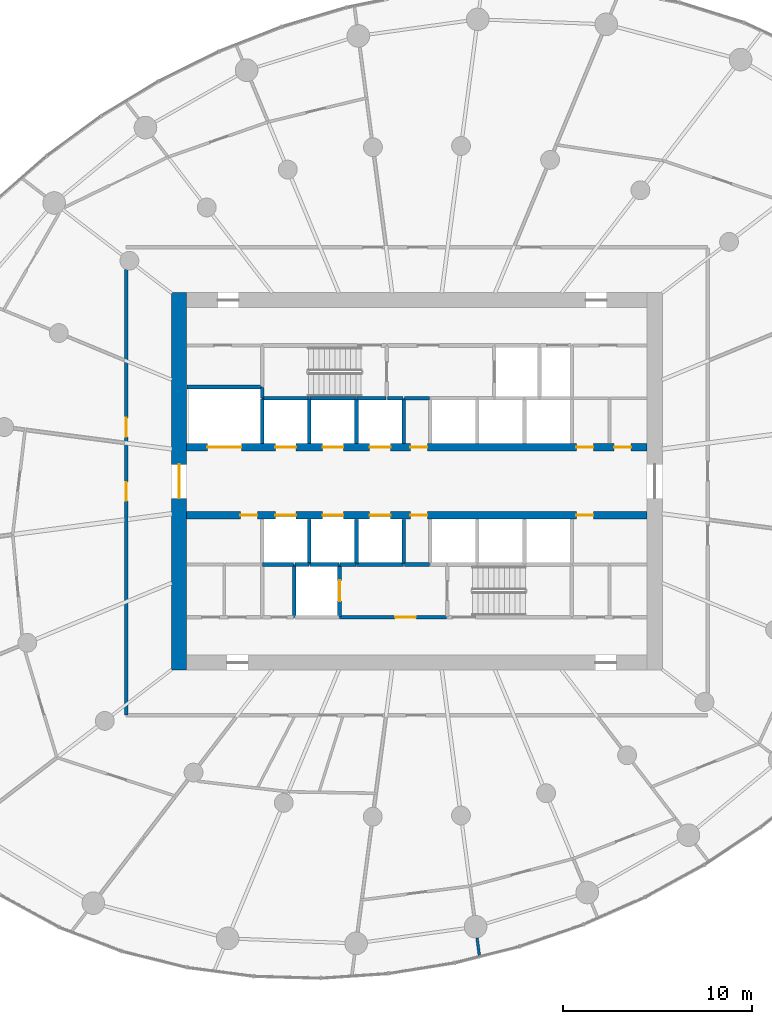
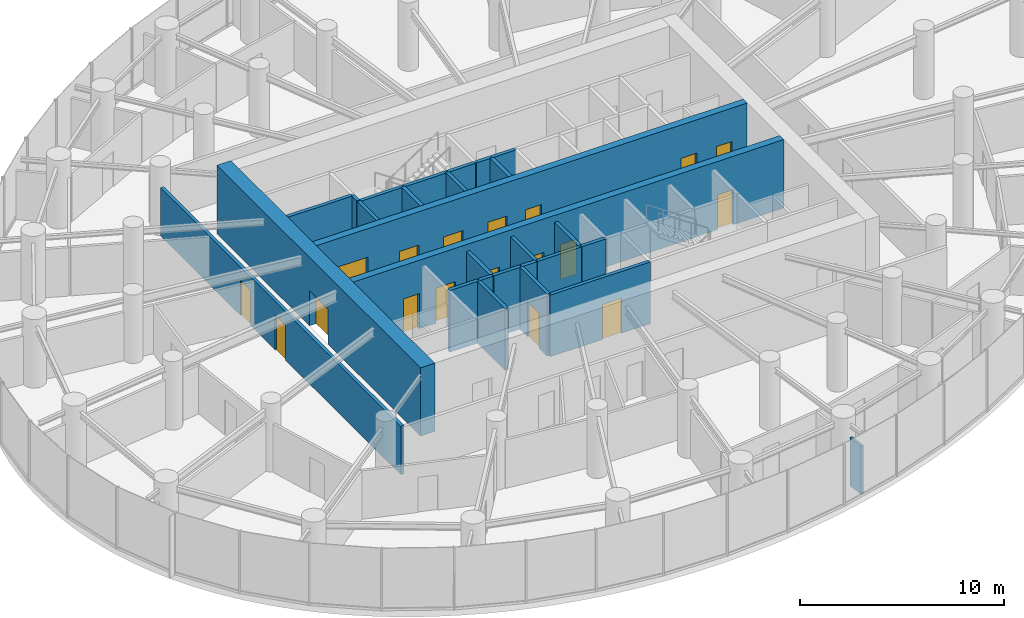
# One storey, part 11 of 17: 28 walls, 18 doors, 18 openings.
"""IFC4 building model written with IfcOpenShell, lengths in metres."""

from ifc_helpers import new_model, si_unit, direction, frame, frame_2d, origin, place, context, subcontext, project, spatial, rectangle, extrude, source, transform, mapped, material, layer, layer_set, type_object, element, fill, save


model = new_model("IFC4")

# Units and contexts
model_context = context("Model", 3, precision=1e-05, world=origin(), true_north=direction((0.0, 1.0)))
body_context = subcontext(model_context, "Body", "Model", "MODEL_VIEW")
ifc_project = project(units=[si_unit("LENGTHUNIT", "METRE"), si_unit("AREAUNIT", "SQUARE_METRE"), si_unit("VOLUMEUNIT", "CUBIC_METRE"), si_unit("PLANEANGLEUNIT", "RADIAN"), si_unit("MASSUNIT", "GRAM", prefix="KILO")], contexts=[model_context])

# Site, building, storey
site_placement = place(None, origin())
site = spatial("IfcSite", under=ifc_project, at=site_placement, CompositionType="ELEMENT")
building_placement = place(site_placement, origin())
building = spatial("IfcBuilding", under=site, at=building_placement, Name="Spindrift Exchange Tower", CompositionType="ELEMENT")
storey_placement = place(building_placement, frame((0.0, 0.0, 88.0)))
storey = spatial("IfcBuildingStorey", under=building, at=storey_placement, Name="L20", CompositionType="ELEMENT", Elevation=88.0)

# Wall, opening, door
ifc_material_1 = material(Name="Concrete 65 MPa", Category="concrete")
ifc_layer_1 = layer(ifc_material_1, 0.800048828125)
ifc_layer_set_1 = layer_set([ifc_layer_1], Name="RC Core Wall 800 Concrete 65 MPa")
wall_type_1 = type_object("IfcWallType", Name="RC Core Wall 800 Concrete 65 MPa", PredefinedType="SHEAR", material=ifc_layer_set_1)
wall_1_placement = place(storey_placement, frame((39.39990234375, 58.0, 0.0), z_axis=(0.0, 0.0, 1.0), x_axis=(0.0, -1.0, 0.0)))
wall_1 = element("IfcWall", 1, at=wall_1_placement, inside=storey, type_object=wall_type_1, Name="Core wall W L20", PredefinedType="SHEAR", context=body_context, shape_type="SweptSolid", body=[
    extrude(rectangle(XDim=20.0, YDim=0.800048828125, at=frame_2d((10.0, 0.0))), origin(), (0.0, 0.0, 1.0), 4.10009765625),
])
opening_1_placement = place(wall_1_placement, frame((9.10009765625, 0.0, 0.0)))
opening_1 = element("IfcOpeningElement", 2, at=opening_1_placement, cuts=wall_1, Name="Opening L20-D1", PredefinedType="OPENING", context=body_context, shape_type="SweptSolid", body=[
    extrude(rectangle(XDim=1.800048828125, YDim=2.10009765625, at=frame_2d((0.89990234375, 1.050048828125))), frame((0.0, 0.409912109375, 0.0), z_axis=(0.0, -1.0, 0.0), x_axis=(1.0, 0.0, 0.0)), (0.0, 0.0, 1.0), 0.820068359375),
])
ifc_material_2 = material(Name="Timber-core fire door", Category="wood")
door_type_1 = type_object("IfcDoorType", Name="DR-LOBBY-1800", OperationType="NOTDEFINED", PredefinedType="DOOR", material=ifc_material_2)
shared_shape_1 = source(origin(), body_context, "Body", "SweptSolid", [
    extrude(rectangle(XDim=1.800048828125, YDim=2.10009765625, at=frame_2d((0.89990234375, 1.050048828125))), frame((0.0, 0.02490234375, 0.0), z_axis=(0.0, -1.0, 0.0), x_axis=(1.0, 0.0, 0.0)), (0.0, 0.0, 1.0), 0.050048828125),
])
door_1_placement = place(opening_1_placement, origin())
door_1 = element("IfcDoor", 3, at=door_1_placement, inside=storey, type_object=door_type_1, Name="L20 Lobby door 1", OperationType="SINGLE_SWING_RIGHT", OverallHeight=2.10009765625, OverallWidth=1.800048828125, PredefinedType="DOOR", context=body_context, shape_type="MappedRepresentation", body=[
    mapped(shared_shape_1, transform((0.0, 0.0, 0.0), scale=1.0)),
])
fill(opening_1, door_1)

# Wall, openings, doors
ifc_layer_2 = layer(ifc_material_1, 0.39990234375)
ifc_layer_set_2 = layer_set([ifc_layer_2], Name="RC Spine Wall 400 Concrete 65 MPa")
wall_type_2 = type_object("IfcWallType", Name="RC Spine Wall 400 Concrete 65 MPa", PredefinedType="SHEAR", material=ifc_layer_set_2)
wall_2_placement = place(storey_placement, frame((39.800048828125, 49.800048828125, 0.0), z_axis=(0.0, 0.0, 1.0), x_axis=(1.0, 0.0, 0.0)))
wall_2 = element("IfcWall", 4, at=wall_2_placement, inside=storey, type_object=wall_type_2, Name="Core spine wall N L20", PredefinedType="SHEAR", context=body_context, shape_type="SweptSolid", body=[
    extrude(rectangle(XDim=24.39990234375, YDim=0.39990234375, at=frame_2d((12.199951171875, 0.0))), origin(), (0.0, 0.0, 1.0), 4.10009765625),
])
opening_2_placement = place(wall_2_placement, frame((4.699951171875, 0.0, 0.0)))
opening_2 = element("IfcOpeningElement", 5, at=opening_2_placement, cuts=wall_2, Name="Opening L20-D3", PredefinedType="OPENING", context=body_context, shape_type="SweptSolid", body=[
    extrude(rectangle(XDim=1.10009765625, YDim=2.10009765625, at=frame_2d((0.550048828125, 1.050048828125))), frame((0.0, 0.2099609375, 0.0), z_axis=(0.0, -1.0, 0.0), x_axis=(1.0, 0.0, 0.0)), (0.0, 0.0, 1.0), 0.419921875),
])
opening_3_placement = place(wall_2_placement, frame((7.199951171875, 0.0, 0.0)))
opening_3 = element("IfcOpeningElement", 6, at=opening_3_placement, cuts=wall_2, Name="Opening L20-D4", PredefinedType="OPENING", context=body_context, shape_type="SweptSolid", body=[
    extrude(rectangle(XDim=1.10009765625, YDim=2.10009765625, at=frame_2d((0.550048828125, 1.050048828125))), frame((0.0, 0.2099609375, 0.0), z_axis=(0.0, -1.0, 0.0), x_axis=(1.0, 0.0, 0.0)), (0.0, 0.0, 1.0), 0.419921875),
])
opening_4_placement = place(wall_2_placement, frame((9.699951171875, 0.0, 0.0)))
opening_4 = element("IfcOpeningElement", 7, at=opening_4_placement, cuts=wall_2, Name="Opening L20-D5", PredefinedType="OPENING", context=body_context, shape_type="SweptSolid", body=[
    extrude(rectangle(XDim=1.10009765625, YDim=2.10009765625, at=frame_2d((0.550048828125, 1.050048828125))), frame((0.0, 0.2099609375, 0.0), z_axis=(0.0, -1.0, 0.0), x_axis=(1.0, 0.0, 0.0)), (0.0, 0.0, 1.0), 0.419921875),
])
opening_5_placement = place(wall_2_placement, frame((1.10009765625, 0.0, 0.0)))
opening_5 = element("IfcOpeningElement", 8, at=opening_5_placement, cuts=wall_2, Name="Opening L20-D12", PredefinedType="OPENING", context=body_context, shape_type="SweptSolid", body=[
    extrude(rectangle(XDim=1.800048828125, YDim=2.39990234375, at=frame_2d((0.89990234375, 1.199951171875))), frame((0.0, 0.2099609375, 0.0), z_axis=(0.0, -1.0, 0.0), x_axis=(1.0, 0.0, 0.0)), (0.0, 0.0, 1.0), 0.419921875),
])
opening_6_placement = place(wall_2_placement, frame((20.64990234375, 0.0, 0.0)))
opening_6 = element("IfcOpeningElement", 9, at=opening_6_placement, cuts=wall_2, Name="Opening L20-D55", PredefinedType="OPENING", context=body_context, shape_type="SweptSolid", body=[
    extrude(rectangle(XDim=0.89990234375, YDim=2.10009765625, at=frame_2d((0.449951171875, 1.050048828125))), frame((0.0, 0.2099609375, 0.0), z_axis=(0.0, -1.0, 0.0), x_axis=(1.0, 0.0, 0.0)), (0.0, 0.0, 1.0), 0.419921875),
])
opening_7_placement = place(wall_2_placement, frame((22.64990234375, 0.0, 0.0)))
opening_7 = element("IfcOpeningElement", 10, at=opening_7_placement, cuts=wall_2, Name="Opening L20-D56", PredefinedType="OPENING", context=body_context, shape_type="SweptSolid", body=[
    extrude(rectangle(XDim=0.89990234375, YDim=2.10009765625, at=frame_2d((0.449951171875, 1.050048828125))), frame((0.0, 0.2099609375, 0.0), z_axis=(0.0, -1.0, 0.0), x_axis=(1.0, 0.0, 0.0)), (0.0, 0.0, 1.0), 0.419921875),
])
opening_8_placement = place(wall_2_placement, frame((11.85009765625, 0.0, 0.0)))
opening_8 = element("IfcOpeningElement", 11, at=opening_8_placement, cuts=wall_2, Name="Opening L20-D61", PredefinedType="OPENING", context=body_context, shape_type="SweptSolid", body=[
    extrude(rectangle(XDim=0.89990234375, YDim=2.10009765625, at=frame_2d((0.449951171875, 1.050048828125))), frame((0.0, 0.2099609375, 0.0), z_axis=(0.0, -1.0, 0.0), x_axis=(1.0, 0.0, 0.0)), (0.0, 0.0, 1.0), 0.419921875),
])
ifc_material_3 = material(Name="Stainless steel landing door", Category="steel")
door_type_2 = type_object("IfcDoorType", Name="DR-LANDING-1100-SL", OperationType="DOUBLE_DOOR_SLIDING", PredefinedType="USERDEFINED", material=ifc_material_3)
shared_shape_2 = source(origin(), body_context, "Body", "SweptSolid", [
    extrude(rectangle(XDim=1.10009765625, YDim=2.10009765625, at=frame_2d((0.550048828125, 1.050048828125))), frame((0.0, 0.02490234375, 0.0), z_axis=(0.0, -1.0, 0.0), x_axis=(1.0, 0.0, 0.0)), (0.0, 0.0, 1.0), 0.050048828125),
])
door_2_placement = place(opening_2_placement, origin())
door_2 = element("IfcDoor", 12, at=door_2_placement, inside=storey, type_object=door_type_2, Name="L20 Lift landing door 3", ObjectType="LANDING DOOR", OperationType="DOUBLE_DOOR_SLIDING", OverallHeight=2.10009765625, OverallWidth=1.10009765625, PredefinedType="USERDEFINED", context=body_context, shape_type="MappedRepresentation", body=[
    mapped(shared_shape_2, transform((0.0, 0.0, 0.0), scale=1.0)),
])
fill(opening_2, door_2)
door_3_placement = place(opening_3_placement, origin())
door_3 = element("IfcDoor", 13, at=door_3_placement, inside=storey, type_object=door_type_2, Name="L20 Lift landing door 4", ObjectType="LANDING DOOR", OperationType="DOUBLE_DOOR_SLIDING", OverallHeight=2.10009765625, OverallWidth=1.10009765625, PredefinedType="USERDEFINED", context=body_context, shape_type="MappedRepresentation", body=[
    mapped(shared_shape_2, transform((0.0, 0.0, 0.0), scale=1.0)),
])
fill(opening_3, door_3)
door_4_placement = place(opening_4_placement, origin())
door_4 = element("IfcDoor", 14, at=door_4_placement, inside=storey, type_object=door_type_2, Name="L20 Lift landing door 5", ObjectType="LANDING DOOR", OperationType="DOUBLE_DOOR_SLIDING", OverallHeight=2.10009765625, OverallWidth=1.10009765625, PredefinedType="USERDEFINED", context=body_context, shape_type="MappedRepresentation", body=[
    mapped(shared_shape_2, transform((0.0, 0.0, 0.0), scale=1.0)),
])
fill(opening_4, door_4)
door_type_3 = type_object("IfcDoorType", Name="DR-LANDING-1800-SL", OperationType="DOUBLE_DOOR_SLIDING", PredefinedType="USERDEFINED", material=ifc_material_3)
shared_shape_3 = source(origin(), body_context, "Body", "SweptSolid", [
    extrude(rectangle(XDim=1.800048828125, YDim=2.39990234375, at=frame_2d((0.89990234375, 1.199951171875))), frame((0.0, 0.02490234375, 0.0), z_axis=(0.0, -1.0, 0.0), x_axis=(1.0, 0.0, 0.0)), (0.0, 0.0, 1.0), 0.050048828125),
])
door_5_placement = place(opening_5_placement, origin())
door_5 = element("IfcDoor", 15, at=door_5_placement, inside=storey, type_object=door_type_3, Name="L20 Lift landing door 12", ObjectType="LANDING DOOR", OperationType="DOUBLE_DOOR_SLIDING", OverallHeight=2.39990234375, OverallWidth=1.800048828125, PredefinedType="USERDEFINED", context=body_context, shape_type="MappedRepresentation", body=[
    mapped(shared_shape_3, transform((0.0, 0.0, 0.0), scale=1.0)),
])
fill(opening_5, door_5)
ifc_material_4 = material(Name="Steel access door", Category="steel")
door_type_4 = type_object("IfcDoorType", Name="DR-RISER-900", OperationType="NOTDEFINED", PredefinedType="DOOR", material=ifc_material_4)
shared_shape_4 = source(origin(), body_context, "Body", "SweptSolid", [
    extrude(rectangle(XDim=0.89990234375, YDim=2.10009765625, at=frame_2d((0.449951171875, 1.050048828125))), frame((0.0, 0.02490234375, 0.0), z_axis=(0.0, -1.0, 0.0), x_axis=(1.0, 0.0, 0.0)), (0.0, 0.0, 1.0), 0.050048828125),
])
door_6_placement = place(opening_6_placement, origin())
door_6 = element("IfcDoor", 16, at=door_6_placement, inside=storey, type_object=door_type_4, Name="L20 Riser door 55", OperationType="SINGLE_SWING_RIGHT", OverallHeight=2.10009765625, OverallWidth=0.89990234375, PredefinedType="DOOR", context=body_context, shape_type="MappedRepresentation", body=[
    mapped(shared_shape_4, transform((0.0, 0.0, 0.0), scale=1.0)),
])
fill(opening_6, door_6)
door_7_placement = place(opening_7_placement, origin())
door_7 = element("IfcDoor", 17, at=door_7_placement, inside=storey, type_object=door_type_4, Name="L20 Riser door 56", OperationType="SINGLE_SWING_LEFT", OverallHeight=2.10009765625, OverallWidth=0.89990234375, PredefinedType="DOOR", context=body_context, shape_type="MappedRepresentation", body=[
    mapped(shared_shape_4, transform((0.0, 0.0, 0.0), scale=1.0)),
])
fill(opening_7, door_7)
door_8_placement = place(opening_8_placement, origin())
door_8 = element("IfcDoor", 18, at=door_8_placement, inside=storey, type_object=door_type_4, Name="L20 Riser door 61", OperationType="SINGLE_SWING_RIGHT", OverallHeight=2.10009765625, OverallWidth=0.89990234375, PredefinedType="DOOR", context=body_context, shape_type="MappedRepresentation", body=[
    mapped(shared_shape_4, transform((0.0, 0.0, 0.0), scale=1.0)),
])
fill(opening_8, door_8)

wall_3_placement = place(storey_placement, frame((39.800048828125, 46.199951171875, 0.0), z_axis=(0.0, 0.0, 1.0), x_axis=(1.0, 0.0, 0.0)))
wall_3 = element("IfcWall", 19, at=wall_3_placement, inside=storey, type_object=wall_type_2, Name="Core spine wall S L20", PredefinedType="SHEAR", context=body_context, shape_type="SweptSolid", body=[
    extrude(rectangle(XDim=24.39990234375, YDim=0.39990234375, at=frame_2d((12.199951171875, 0.0))), origin(), (0.0, 0.0, 1.0), 4.10009765625),
])
opening_9_placement = place(wall_3_placement, frame((4.699951171875, 0.0, 0.0)))
opening_9 = element("IfcOpeningElement", 20, at=opening_9_placement, cuts=wall_3, Name="Opening L20-D6", PredefinedType="OPENING", context=body_context, shape_type="SweptSolid", body=[
    extrude(rectangle(XDim=1.10009765625, YDim=2.10009765625, at=frame_2d((0.550048828125, 1.050048828125))), frame((0.0, 0.2099609375, 0.0), z_axis=(0.0, -1.0, 0.0), x_axis=(1.0, 0.0, 0.0)), (0.0, 0.0, 1.0), 0.419921875),
])
opening_10_placement = place(wall_3_placement, frame((7.199951171875, 0.0, 0.0)))
opening_10 = element("IfcOpeningElement", 21, at=opening_10_placement, cuts=wall_3, Name="Opening L20-D7", PredefinedType="OPENING", context=body_context, shape_type="SweptSolid", body=[
    extrude(rectangle(XDim=1.10009765625, YDim=2.10009765625, at=frame_2d((0.550048828125, 1.050048828125))), frame((0.0, 0.2099609375, 0.0), z_axis=(0.0, -1.0, 0.0), x_axis=(1.0, 0.0, 0.0)), (0.0, 0.0, 1.0), 0.419921875),
])
opening_11_placement = place(wall_3_placement, frame((9.699951171875, 0.0, 0.0)))
opening_11 = element("IfcOpeningElement", 22, at=opening_11_placement, cuts=wall_3, Name="Opening L20-D8", PredefinedType="OPENING", context=body_context, shape_type="SweptSolid", body=[
    extrude(rectangle(XDim=1.10009765625, YDim=2.10009765625, at=frame_2d((0.550048828125, 1.050048828125))), frame((0.0, 0.2099609375, 0.0), z_axis=(0.0, -1.0, 0.0), x_axis=(1.0, 0.0, 0.0)), (0.0, 0.0, 1.0), 0.419921875),
])
opening_12_placement = place(wall_3_placement, frame((20.64990234375, 0.0, 0.0)))
opening_12 = element("IfcOpeningElement", 23, at=opening_12_placement, cuts=wall_3, Name="Opening L20-D54", PredefinedType="OPENING", context=body_context, shape_type="SweptSolid", body=[
    extrude(rectangle(XDim=0.89990234375, YDim=2.10009765625, at=frame_2d((0.449951171875, 1.050048828125))), frame((0.0, 0.2099609375, 0.0), z_axis=(0.0, -1.0, 0.0), x_axis=(1.0, 0.0, 0.0)), (0.0, 0.0, 1.0), 0.419921875),
])
opening_13_placement = place(wall_3_placement, frame((2.85009765625, 0.0, 0.0)))
opening_13 = element("IfcOpeningElement", 24, at=opening_13_placement, cuts=wall_3, Name="Opening L20-D60", PredefinedType="OPENING", context=body_context, shape_type="SweptSolid", body=[
    extrude(rectangle(XDim=0.89990234375, YDim=2.10009765625, at=frame_2d((0.449951171875, 1.050048828125))), frame((0.0, 0.2099609375, 0.0), z_axis=(0.0, -1.0, 0.0), x_axis=(1.0, 0.0, 0.0)), (0.0, 0.0, 1.0), 0.419921875),
])
opening_14_placement = place(wall_3_placement, frame((11.85009765625, 0.0, 0.0)))
opening_14 = element("IfcOpeningElement", 25, at=opening_14_placement, cuts=wall_3, Name="Opening L20-D62", PredefinedType="OPENING", context=body_context, shape_type="SweptSolid", body=[
    extrude(rectangle(XDim=0.89990234375, YDim=2.10009765625, at=frame_2d((0.449951171875, 1.050048828125))), frame((0.0, 0.2099609375, 0.0), z_axis=(0.0, -1.0, 0.0), x_axis=(1.0, 0.0, 0.0)), (0.0, 0.0, 1.0), 0.419921875),
])
door_9_placement = place(opening_9_placement, origin())
door_9 = element("IfcDoor", 26, at=door_9_placement, inside=storey, type_object=door_type_2, Name="L20 Lift landing door 6", ObjectType="LANDING DOOR", OperationType="DOUBLE_DOOR_SLIDING", OverallHeight=2.10009765625, OverallWidth=1.10009765625, PredefinedType="USERDEFINED", context=body_context, shape_type="MappedRepresentation", body=[
    mapped(shared_shape_2, transform((0.0, 0.0, 0.0), scale=1.0)),
])
fill(opening_9, door_9)
door_10_placement = place(opening_10_placement, origin())
door_10 = element("IfcDoor", 27, at=door_10_placement, inside=storey, type_object=door_type_2, Name="L20 Lift landing door 7", ObjectType="LANDING DOOR", OperationType="DOUBLE_DOOR_SLIDING", OverallHeight=2.10009765625, OverallWidth=1.10009765625, PredefinedType="USERDEFINED", context=body_context, shape_type="MappedRepresentation", body=[
    mapped(shared_shape_2, transform((0.0, 0.0, 0.0), scale=1.0)),
])
fill(opening_10, door_10)
door_11_placement = place(opening_11_placement, origin())
door_11 = element("IfcDoor", 28, at=door_11_placement, inside=storey, type_object=door_type_2, Name="L20 Lift landing door 8", ObjectType="LANDING DOOR", OperationType="DOUBLE_DOOR_SLIDING", OverallHeight=2.10009765625, OverallWidth=1.10009765625, PredefinedType="USERDEFINED", context=body_context, shape_type="MappedRepresentation", body=[
    mapped(shared_shape_2, transform((0.0, 0.0, 0.0), scale=1.0)),
])
fill(opening_11, door_11)
door_12_placement = place(opening_12_placement, origin())
door_12 = element("IfcDoor", 29, at=door_12_placement, inside=storey, type_object=door_type_4, Name="L20 Riser door 54", OperationType="SINGLE_SWING_LEFT", OverallHeight=2.10009765625, OverallWidth=0.89990234375, PredefinedType="DOOR", context=body_context, shape_type="MappedRepresentation", body=[
    mapped(shared_shape_4, transform((0.0, 0.0, 0.0), scale=1.0)),
])
fill(opening_12, door_12)
door_13_placement = place(opening_13_placement, origin())
door_13 = element("IfcDoor", 30, at=door_13_placement, inside=storey, type_object=door_type_4, Name="L20 Riser door 60", OperationType="SINGLE_SWING_LEFT", OverallHeight=2.10009765625, OverallWidth=0.89990234375, PredefinedType="DOOR", context=body_context, shape_type="MappedRepresentation", body=[
    mapped(shared_shape_4, transform((0.0, 0.0, 0.0), scale=1.0)),
])
fill(opening_13, door_13)
door_14_placement = place(opening_14_placement, origin())
door_14 = element("IfcDoor", 31, at=door_14_placement, inside=storey, type_object=door_type_4, Name="L20 Riser door 62", OperationType="SINGLE_SWING_LEFT", OverallHeight=2.10009765625, OverallWidth=0.89990234375, PredefinedType="DOOR", context=body_context, shape_type="MappedRepresentation", body=[
    mapped(shared_shape_4, transform((0.0, 0.0, 0.0), scale=1.0)),
])
fill(opening_14, door_14)

# Wall
ifc_material_5 = material(Name="Fire-rated plasterboard partition", Category="gypsum")
ifc_layer_3 = layer(ifc_material_5, 0.139892578125)
ifc_layer_set_3 = layer_set([ifc_layer_3], Name="W-PART-140")
wall_type_3 = type_object("IfcWallType", Name="W-PART-140", PredefinedType="PARTITIONING", material=ifc_layer_set_3)
wall_4_placement = place(storey_placement, frame((55.185302734375, 23.805419921875, 0.0), z_axis=(0.0, 0.0, 1.0), x_axis=(0.130578341009, -0.99143799446, 0.0)))
element("IfcWall", 32, at=wall_4_placement, inside=storey, type_object=wall_type_3, Name="L20 Partition wall 141", PredefinedType="PARTITIONING", context=body_context, shape_type="SweptSolid", body=[
    extrude(rectangle(XDim=0.91796875, YDim=0.139892578125, at=frame_2d((0.458984375, 0.0))), origin(), (0.0, 0.0, 1.0), 2.89990234375),
])

# Wall, openings, doors
ifc_layer_4 = layer(ifc_material_5, 0.179931640625)
ifc_layer_set_4 = layer_set([ifc_layer_4], Name="W-PLANT-180")
wall_type_4 = type_object("IfcWallType", Name="W-PLANT-180", PredefinedType="PARTITIONING", material=ifc_layer_set_4)
wall_5_placement = place(storey_placement, frame((36.60009765625, 35.6298828125, 0.0), z_axis=(0.0, 0.0, 1.0), x_axis=(0.0, 1.0, 0.0)))
wall_5 = element("IfcWall", 33, at=wall_5_placement, inside=storey, type_object=wall_type_4, Name="L20 Partition wall 60", PredefinedType="PARTITIONING", context=body_context, shape_type="SweptSolid", body=[
    extrude(rectangle(XDim=23.58251953125, YDim=0.179931640625, at=frame_2d((11.791259765625, 0.0))), origin(), (0.0, 0.0, 1.0), 2.89990234375),
])
opening_15_placement = place(wall_5_placement, frame((14.732421875, 0.0, 0.0)))
opening_15 = element("IfcOpeningElement", 34, at=opening_15_placement, cuts=wall_5, Name="Opening L20-D45", PredefinedType="OPENING", context=body_context, shape_type="SweptSolid", body=[
    extrude(rectangle(XDim=1.0, YDim=2.10009765625, at=frame_2d((0.5, 1.050048828125))), frame((0.0, 0.099853515625, 0.0), z_axis=(0.0, -1.0, 0.0), x_axis=(1.0, 0.0, 0.0)), (0.0, 0.0, 1.0), 0.199951171875),
])
opening_16_placement = place(wall_5_placement, frame((11.33251953125, 0.0, 0.0)))
opening_16 = element("IfcOpeningElement", 35, at=opening_16_placement, cuts=wall_5, Name="Opening L20-D46", PredefinedType="OPENING", context=body_context, shape_type="SweptSolid", body=[
    extrude(rectangle(XDim=1.0, YDim=2.10009765625, at=frame_2d((0.5, 1.050048828125))), frame((0.0, 0.099853515625, 0.0), z_axis=(0.0, -1.0, 0.0), x_axis=(1.0, 0.0, 0.0)), (0.0, 0.0, 1.0), 0.199951171875),
])
door_type_5 = type_object("IfcDoorType", Name="DR-ROOM-1000", OperationType="NOTDEFINED", PredefinedType="DOOR", material=ifc_material_2)
shared_shape_5 = source(origin(), body_context, "Body", "SweptSolid", [
    extrude(rectangle(XDim=1.0, YDim=2.10009765625, at=frame_2d((0.5, 1.050048828125))), frame((0.0, 0.02490234375, 0.0), z_axis=(0.0, -1.0, 0.0), x_axis=(1.0, 0.0, 0.0)), (0.0, 0.0, 1.0), 0.050048828125),
])
door_15_placement = place(opening_15_placement, origin())
door_15 = element("IfcDoor", 36, at=door_15_placement, inside=storey, type_object=door_type_5, Name="L20 Door 45", OperationType="SINGLE_SWING_RIGHT", OverallHeight=2.10009765625, OverallWidth=1.0, PredefinedType="DOOR", context=body_context, shape_type="MappedRepresentation", body=[
    mapped(shared_shape_5, transform((0.0, 0.0, 0.0), scale=1.0)),
])
fill(opening_15, door_15)
door_16_placement = place(opening_16_placement, origin())
door_16 = element("IfcDoor", 37, at=door_16_placement, inside=storey, type_object=door_type_5, Name="L20 Door 46", OperationType="SINGLE_SWING_LEFT", OverallHeight=2.10009765625, OverallWidth=1.0, PredefinedType="DOOR", context=body_context, shape_type="MappedRepresentation", body=[
    mapped(shared_shape_5, transform((0.0, 0.0, 0.0), scale=1.0)),
])
fill(opening_16, door_16)

# Wall
ifc_material_6 = material(Name="Concrete 40 MPa", Category="concrete")
ifc_layer_5 = layer(ifc_material_6, 0.199951171875)
ifc_layer_set_5 = layer_set([ifc_layer_5], Name="W-SHAFT-200")
wall_type_5 = type_object("IfcWallType", Name="W-SHAFT-200", PredefinedType="SOLIDWALL", material=ifc_layer_set_5)
wall_6_placement = place(storey_placement, frame((45.5, 43.60009765625, 0.0), z_axis=(0.0, 0.0, 1.0), x_axis=(0.0, -1.0, 0.0)))
element("IfcWall", 38, at=wall_6_placement, inside=storey, type_object=wall_type_5, Name="L20 Shaft wall 7", PredefinedType="SOLIDWALL", context=body_context, shape_type="SweptSolid", body=[
    extrude(rectangle(XDim=2.800048828125, YDim=0.199951171875, at=frame_2d((1.39990234375, 0.0))), origin(), (0.0, 0.0, 1.0), 3.699951171875),
])

# Wall, opening, door
wall_7_placement = place(storey_placement, frame((47.89990234375, 40.830078125, 0.0), z_axis=(0.0, 0.0, 1.0), x_axis=(0.0, 1.0, 0.0)))
wall_7 = element("IfcWall", 39, at=wall_7_placement, inside=storey, type_object=wall_type_5, Name="L20 Shaft wall 8", PredefinedType="SOLIDWALL", context=body_context, shape_type="SweptSolid", body=[
    extrude(rectangle(XDim=2.77001953125, YDim=0.199951171875, at=frame_2d((1.385009765625, 0.0))), origin(), (0.0, 0.0, 1.0), 3.699951171875),
])
opening_17_placement = place(wall_7_placement, frame((0.820068359375, 0.0, 0.0)))
opening_17 = element("IfcOpeningElement", 40, at=opening_17_placement, cuts=wall_7, Name="Opening L20-D10", PredefinedType="OPENING", context=body_context, shape_type="SweptSolid", body=[
    extrude(rectangle(XDim=1.10009765625, YDim=2.10009765625, at=frame_2d((0.550048828125, 1.050048828125))), frame((0.0, 0.10986328125, 0.0), z_axis=(0.0, -1.0, 0.0), x_axis=(1.0, 0.0, 0.0)), (0.0, 0.0, 1.0), 0.219970703125),
])
door_17_placement = place(opening_17_placement, origin())
door_17 = element("IfcDoor", 41, at=door_17_placement, inside=storey, type_object=door_type_2, Name="L20 Lift landing door 10", ObjectType="LANDING DOOR", OperationType="DOUBLE_DOOR_SLIDING", OverallHeight=2.10009765625, OverallWidth=1.10009765625, PredefinedType="USERDEFINED", context=body_context, shape_type="MappedRepresentation", body=[
    mapped(shared_shape_2, transform((0.0, 0.0, 0.0), scale=1.0)),
])
fill(opening_17, door_17)

# Walls
wall_8_placement = place(storey_placement, frame((48.800048828125, 43.60009765625, 0.0), z_axis=(0.0, 0.0, 1.0), x_axis=(1.0, 0.0, 0.0)))
element("IfcWall", 42, at=wall_8_placement, inside=storey, type_object=wall_type_5, Name="L20 Shaft wall 17", PredefinedType="SOLIDWALL", context=body_context, shape_type="SweptSolid", body=[
    extrude(rectangle(XDim=2.5, YDim=0.199951171875, at=frame_2d((1.25, 0.0))), origin(), (0.0, 0.0, 1.0), 3.699951171875),
])
wall_9_placement = place(storey_placement, frame((46.300048828125, 43.60009765625, 0.0), z_axis=(0.0, 0.0, 1.0), x_axis=(0.0, 1.0, 0.0)))
element("IfcWall", 43, at=wall_9_placement, inside=storey, type_object=wall_type_5, Name="L20 Shaft wall 25", PredefinedType="SOLIDWALL", context=body_context, shape_type="SweptSolid", body=[
    extrude(rectangle(XDim=2.389892578125, YDim=0.199951171875, at=frame_2d((1.19482421875, 0.0))), origin(), (0.0, 0.0, 1.0), 3.699951171875),
])
for number, where, z_axis, x_axis, name in (
    (44, (48.800048828125, 43.6298828125, 0.0), (0.0, 0.0, 1.0), (0.0, 1.0, 0.0), "L20 Shaft wall 27"),
    (45, (51.300048828125, 43.6298828125, 0.0), (0.0, 0.0, 1.0), (0.0, 1.0, 0.0), "L20 Shaft wall 29"),
):
    element("IfcWall", number, at=place(storey_placement, frame(where, z_axis=z_axis, x_axis=x_axis)), inside=storey, type_object=wall_type_5, Name=name, PredefinedType="SOLIDWALL", context=body_context, shape_type="SweptSolid", body=[
        extrude(rectangle(XDim=2.360107421875, YDim=0.199951171875, at=frame_2d((1.18017578125, 0.0))), origin(), (0.0, 0.0, 1.0), 3.699951171875),
    ])
wall_10_placement = place(storey_placement, frame((51.300048828125, 50.010009765625, 0.0), z_axis=(0.0, 0.0, 1.0), x_axis=(0.0, 1.0, 0.0)))
element("IfcWall", 46, at=wall_10_placement, inside=storey, type_object=wall_type_5, Name="L20 Shaft wall 30", PredefinedType="SOLIDWALL", context=body_context, shape_type="SweptSolid", body=[
    extrude(rectangle(XDim=2.389892578125, YDim=0.199951171875, at=frame_2d((1.19482421875, 0.0))), origin(), (0.0, 0.0, 1.0), 3.699951171875),
])
wall_11_placement = place(storey_placement, frame((43.830078125, 43.60009765625, 0.0), z_axis=(0.0, 0.0, 1.0), x_axis=(1.0, 0.0, 0.0)))
element("IfcWall", 47, at=wall_11_placement, inside=storey, type_object=wall_type_5, Name="L20 Shaft wall 40", PredefinedType="SOLIDWALL", context=body_context, shape_type="SweptSolid", body=[
    extrude(rectangle(XDim=1.639892578125, YDim=0.199951171875, at=frame_2d((0.81982421875, 0.0))), origin(), (0.0, 0.0, 1.0), 3.699951171875),
])
wall_12_placement = place(storey_placement, frame((46.330078125, 43.60009765625, 0.0), z_axis=(0.0, 0.0, 1.0), x_axis=(1.0, 0.0, 0.0)))
element("IfcWall", 48, at=wall_12_placement, inside=storey, type_object=wall_type_5, Name="L20 Shaft wall 44", PredefinedType="SOLIDWALL", context=body_context, shape_type="SweptSolid", body=[
    extrude(rectangle(XDim=1.5400390625, YDim=0.199951171875, at=frame_2d((0.77001953125, 0.0))), origin(), (0.0, 0.0, 1.0), 3.699951171875),
])
for number, where, z_axis, x_axis, name in (
    (49, (52.669921875, 43.60009765625, 0.0), (0.0, 0.0, 1.0), (-1.0, 0.0, 0.0), "L20 Shaft wall 48"),
    (50, (51.330078125, 52.39990234375, 0.0), (0.0, 0.0, 1.0), (1.0, 0.0, 0.0), "L20 Shaft wall 49"),
):
    element("IfcWall", number, at=place(storey_placement, frame(where, z_axis=z_axis, x_axis=x_axis)), inside=storey, type_object=wall_type_5, Name=name, PredefinedType="SOLIDWALL", context=body_context, shape_type="SweptSolid", body=[
        extrude(rectangle(XDim=1.33984375, YDim=0.199951171875, at=frame_2d((0.669921875, 0.0))), origin(), (0.0, 0.0, 1.0), 3.699951171875),
    ])
wall_13_placement = place(storey_placement, frame((47.929931640625, 43.60009765625, 0.0), z_axis=(0.0, 0.0, 1.0), x_axis=(1.0, 0.0, 0.0)))
element("IfcWall", 51, at=wall_13_placement, inside=storey, type_object=wall_type_5, Name="L20 Shaft wall 50", PredefinedType="SOLIDWALL", context=body_context, shape_type="SweptSolid", body=[
    extrude(rectangle(XDim=0.840087890625, YDim=0.199951171875, at=frame_2d((0.419921875, 0.0))), origin(), (0.0, 0.0, 1.0), 3.699951171875),
])
wall_14_placement = place(storey_placement, frame((45.530029296875, 43.60009765625, 0.0), z_axis=(0.0, 0.0, 1.0), x_axis=(1.0, 0.0, 0.0)))
element("IfcWall", 52, at=wall_14_placement, inside=storey, type_object=wall_type_5, Name="L20 Shaft wall 54", PredefinedType="SOLIDWALL", context=body_context, shape_type="SweptSolid", body=[
    extrude(rectangle(XDim=0.739990234375, YDim=0.199951171875, at=frame_2d((0.3701171875, 0.0))), origin(), (0.0, 0.0, 1.0), 3.699951171875),
])

# Wall, opening, door
ifc_layer_6 = layer(ifc_material_6, 0.199951171875)
ifc_layer_set_6 = layer_set([ifc_layer_6], Name="W-SHAFT-200-LB")
wall_type_6 = type_object("IfcWallType", Name="W-SHAFT-200-LB", PredefinedType="SOLIDWALL", material=ifc_layer_set_6)
wall_15_placement = place(storey_placement, frame((47.89990234375, 40.800048828125, 0.0), z_axis=(0.0, 0.0, 1.0), x_axis=(1.0, 0.0, 0.0)))
wall_15 = element("IfcWall", 53, at=wall_15_placement, inside=storey, type_object=wall_type_6, Name="L20 Shaft wall 3", PredefinedType="SOLIDWALL", context=body_context, shape_type="SweptSolid", body=[
    extrude(rectangle(XDim=5.670166015625, YDim=0.199951171875, at=frame_2d((2.8349609375, 0.0))), origin(), (0.0, 0.0, 1.0), 3.699951171875),
])
opening_18_placement = place(wall_15_placement, frame((2.949951171875, 0.0, 0.0)))
opening_18 = element("IfcOpeningElement", 54, at=opening_18_placement, cuts=wall_15, Name="Opening L20-D18", PredefinedType="OPENING", context=body_context, shape_type="SweptSolid", body=[
    extrude(rectangle(XDim=1.10009765625, YDim=2.10009765625, at=frame_2d((0.550048828125, 1.050048828125))), frame((0.0, 0.10986328125, 0.0), z_axis=(0.0, -1.0, 0.0), x_axis=(1.0, 0.0, 0.0)), (0.0, 0.0, 1.0), 0.219970703125),
])
door_type_6 = type_object("IfcDoorType", Name="DR-LOBBY-1100", OperationType="NOTDEFINED", PredefinedType="DOOR", material=ifc_material_2)
shared_shape_6 = source(origin(), body_context, "Body", "SweptSolid", [
    extrude(rectangle(XDim=1.10009765625, YDim=2.10009765625, at=frame_2d((0.550048828125, 1.050048828125))), frame((0.0, 0.02490234375, 0.0), z_axis=(0.0, -1.0, 0.0), x_axis=(1.0, 0.0, 0.0)), (0.0, 0.0, 1.0), 0.050048828125),
])
door_18_placement = place(opening_18_placement, origin())
door_18 = element("IfcDoor", 55, at=door_18_placement, inside=storey, type_object=door_type_6, Name="L20 Lobby door 18", OperationType="SINGLE_SWING_LEFT", OverallHeight=2.10009765625, OverallWidth=1.10009765625, PredefinedType="DOOR", context=body_context, shape_type="MappedRepresentation", body=[
    mapped(shared_shape_6, transform((0.0, 0.0, 0.0), scale=1.0)),
])
fill(opening_18, door_18)

# Walls
wall_16_placement = place(storey_placement, frame((43.800048828125, 53.0, 0.0), z_axis=(0.0, 0.0, 1.0), x_axis=(-1.0, 0.0, 0.0)))
element("IfcWall", 56, at=wall_16_placement, inside=storey, type_object=wall_type_6, Name="L20 Shaft wall 5", PredefinedType="SOLIDWALL", context=body_context, shape_type="SweptSolid", body=[
    extrude(rectangle(XDim=3.97998046875, YDim=0.199951171875, at=frame_2d((1.989990234375, 0.0))), origin(), (0.0, 0.0, 1.0), 3.699951171875),
])
wall_17_placement = place(storey_placement, frame((46.300048828125, 52.39990234375, 0.0), z_axis=(0.0, 0.0, 1.0), x_axis=(-1.0, 0.0, 0.0)))
element("IfcWall", 57, at=wall_17_placement, inside=storey, type_object=wall_type_6, Name="L20 Shaft wall 15", PredefinedType="SOLIDWALL", context=body_context, shape_type="SweptSolid", body=[
    extrude(rectangle(XDim=2.5, YDim=0.199951171875, at=frame_2d((1.25, 0.0))), origin(), (0.0, 0.0, 1.0), 3.699951171875),
])
wall_18_placement = place(storey_placement, frame((48.800048828125, 52.39990234375, 0.0), z_axis=(0.0, 0.0, 1.0), x_axis=(-1.0, 0.0, 0.0)))
element("IfcWall", 58, at=wall_18_placement, inside=storey, type_object=wall_type_6, Name="L20 Shaft wall 16", PredefinedType="SOLIDWALL", context=body_context, shape_type="SweptSolid", body=[
    extrude(rectangle(XDim=2.469970703125, YDim=0.199951171875, at=frame_2d((1.23486328125, 0.0))), origin(), (0.0, 0.0, 1.0), 3.699951171875),
])
for number, where, z_axis, x_axis, name in (
    (59, (43.800048828125, 52.3701171875, 0.0), (0.0, 0.0, 1.0), (0.0, -1.0, 0.0), "L20 Shaft wall 24"),
    (60, (46.300048828125, 50.010009765625, 0.0), (0.0, 0.0, 1.0), (0.0, 1.0, 0.0), "L20 Shaft wall 26"),
    (61, (48.800048828125, 50.010009765625, 0.0), (0.0, 0.0, 1.0), (0.0, 1.0, 0.0), "L20 Shaft wall 28"),
):
    element("IfcWall", number, at=place(storey_placement, frame(where, z_axis=z_axis, x_axis=x_axis)), inside=storey, type_object=wall_type_6, Name=name, PredefinedType="SOLIDWALL", context=body_context, shape_type="SweptSolid", body=[
        extrude(rectangle(XDim=2.360107421875, YDim=0.199951171875, at=frame_2d((1.18017578125, 0.0))), origin(), (0.0, 0.0, 1.0), 3.699951171875),
    ])
wall_19_placement = place(storey_placement, frame((50.3701171875, 52.39990234375, 0.0), z_axis=(0.0, 0.0, 1.0), x_axis=(-1.0, 0.0, 0.0)))
element("IfcWall", 62, at=wall_19_placement, inside=storey, type_object=wall_type_6, Name="L20 Shaft wall 45", PredefinedType="SOLIDWALL", context=body_context, shape_type="SweptSolid", body=[
    extrude(rectangle(XDim=1.5400390625, YDim=0.199951171875, at=frame_2d((0.77001953125, 0.0))), origin(), (0.0, 0.0, 1.0), 3.699951171875),
])
wall_20_placement = place(storey_placement, frame((51.27001953125, 52.39990234375, 0.0), z_axis=(0.0, 0.0, 1.0), x_axis=(-1.0, 0.0, 0.0)))
element("IfcWall", 63, at=wall_20_placement, inside=storey, type_object=wall_type_6, Name="L20 Shaft wall 51", PredefinedType="SOLIDWALL", context=body_context, shape_type="SweptSolid", body=[
    extrude(rectangle(XDim=0.840087890625, YDim=0.199951171875, at=frame_2d((0.419921875, 0.0))), origin(), (0.0, 0.0, 1.0), 3.699951171875),
])
wall_21_placement = place(storey_placement, frame((43.800048828125, 52.429931640625, 0.0), z_axis=(0.0, 0.0, 1.0), x_axis=(0.0, 1.0, 0.0)))
element("IfcWall", 64, at=wall_21_placement, inside=storey, type_object=wall_type_6, Name="L20 Shaft wall 56", PredefinedType="SOLIDWALL", context=body_context, shape_type="SweptSolid", body=[
    extrude(rectangle(XDim=0.5400390625, YDim=0.199951171875, at=frame_2d((0.27001953125, 0.0))), origin(), (0.0, 0.0, 1.0), 3.699951171875),
])

save(model, "model.ifc")
